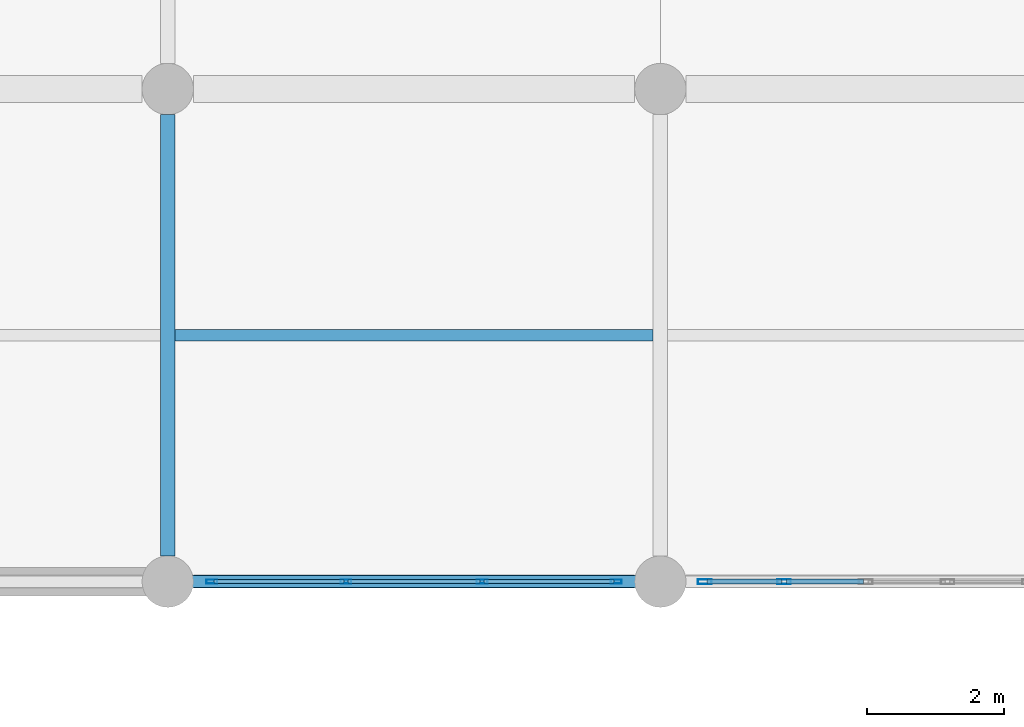
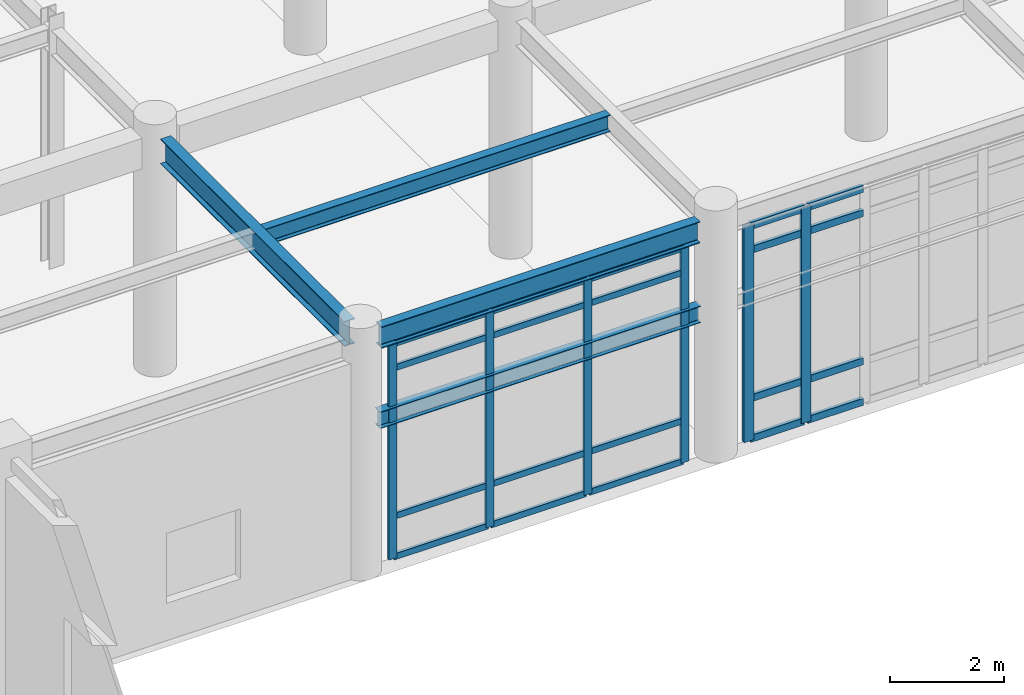
# One storey, part 32 of 102: 26 members, 4 beams, 2 elements without a shape of their own.
"""IFC4 building model written with IfcOpenShell, lengths in metres."""

from ifc_helpers import new_model, si_unit, direction, frame, origin, origin_2d, place, context, subcontext, project, spatial, hollow_rectangle, i_section, extrude, material, layer, layer_set, material_profile, profile_set, type_object, element, aggregate, save


model = new_model("IFC4")

# Units and contexts
model_context = context("Model", 3, precision=1e-05, world=origin(), true_north=direction((0.0, 1.0)))
body_context = subcontext(model_context, "Body", "Model", "MODEL_VIEW")
ifc_project = project(units=[si_unit("LENGTHUNIT", "METRE"), si_unit("AREAUNIT", "SQUARE_METRE"), si_unit("VOLUMEUNIT", "CUBIC_METRE"), si_unit("PLANEANGLEUNIT", "RADIAN"), si_unit("MASSUNIT", "GRAM", prefix="KILO")], contexts=[model_context])

# Site, building, storey
site_placement = place(None, origin())
site = spatial("IfcSite", under=ifc_project, at=site_placement, CompositionType="ELEMENT")
building_placement = place(site_placement, origin())
building = spatial("IfcBuilding", under=site, at=building_placement, Name="Carrowvane Square Congress Hotel", CompositionType="ELEMENT")
storey_placement = place(building_placement, origin())
storey = spatial("IfcBuildingStorey", under=building, at=storey_placement, Name="L00", CompositionType="ELEMENT", Elevation=0.0)

# Beams
ifc_material_1 = material(Name="Steel S355", Category="steel")
ifc_material_profile_1 = material_profile(ifc_material_1, i_section(OverallWidth=0.172119140625, OverallDepth=0.35791015625, WebThickness=0.008056640625, FlangeThickness=0.012939453125, FilletRadius=0.01025390625, at=origin_2d()), Name="UKB 356x171x57")
ifc_profile_set_1 = profile_set([ifc_material_profile_1], Name="Steel S355")
beam_type_1 = type_object("IfcBeamType", Name="BM-LNT-2", PredefinedType="LINTEL", material=ifc_profile_set_1)
beam_1_placement = place(storey_placement, frame((76.75, 70.199951171875, 3.10009765625), z_axis=(1.0, 0.0, 0.0), x_axis=(0.0, 1.0, 0.0)))
element("IfcBeam", 1, at=beam_1_placement, inside=storey, type_object=beam_type_1, Name="L00 passage portal steel lintel 2", PredefinedType="LINTEL", context=body_context, shape_type="SweptSolid", body=[
    extrude(i_section(OverallWidth=0.172119140625, OverallDepth=0.35791015625, WebThickness=0.008056640625, FlangeThickness=0.012939453125, FilletRadius=0.01025390625, at=origin_2d()), origin(), (0.0, 0.0, 1.0), 6.5),
])
ifc_material_2 = material(Name="Steel S355", Category="steel")
ifc_material_profile_2 = material_profile(ifc_material_2, i_section(OverallWidth=0.172119140625, OverallDepth=0.35791015625, WebThickness=0.008056640625, FlangeThickness=0.012939453125, FilletRadius=0.01025390625, at=origin_2d()), Name="UKB 356x171x57")
ifc_profile_set_2 = profile_set([ifc_material_profile_2], Name="Steel S355")
beam_type_2 = type_object("IfcBeamType", Name="BM-ST-UKB356", PredefinedType="JOIST", material=ifc_profile_set_2)
beam_2_placement = place(storey_placement, frame((76.5048828125, 73.800048828125, 4.9208984375), z_axis=(1.0, 0.0, 0.0), x_axis=(0.0, 1.0, 0.0)))
element("IfcBeam", 2, at=beam_2_placement, inside=storey, type_object=beam_type_2, Name="L01 secondary joist 10-11", PredefinedType="JOIST", context=body_context, shape_type="SweptSolid", body=[
    extrude(i_section(OverallWidth=0.172119140625, OverallDepth=0.35791015625, WebThickness=0.008056640625, FlangeThickness=0.012939453125, FilletRadius=0.01025390625, at=origin_2d()), origin(), (0.0, 0.0, 1.0), 6.990234375),
])
ifc_material_3 = material(Name="Steel S355", Category="steel")
ifc_material_profile_3 = material_profile(ifc_material_3, i_section(OverallWidth=0.19140625, OverallDepth=0.4599609375, WebThickness=0.010009765625, FlangeThickness=0.01611328125, FilletRadius=0.01025390625, at=origin_2d()), Name="UKB 457x191x82")
ifc_profile_set_3 = profile_set([ifc_material_profile_3], Name="Steel S355")
beam_type_3 = type_object("IfcBeamType", Name="BM-ST-UKB457", PredefinedType="SPANDREL", material=ifc_profile_set_3)
beam_3_placement = place(storey_placement, frame((76.77490234375, 70.199951171875, 4.8701171875), z_axis=(1.0, 0.0, 0.0), x_axis=(0.0, 1.0, 0.0)))
element("IfcBeam", 3, at=beam_3_placement, inside=storey, type_object=beam_type_3, Name="L01 girder K/10-11", PredefinedType="SPANDREL", context=body_context, shape_type="SweptSolid", body=[
    extrude(i_section(OverallWidth=0.19140625, OverallDepth=0.4599609375, WebThickness=0.010009765625, FlangeThickness=0.01611328125, FilletRadius=0.01025390625, at=origin_2d()), origin(), (0.0, 0.0, 1.0), 6.4501953125),
])
ifc_material_4 = material(Name="Steel S355", Category="steel")
ifc_material_profile_4 = material_profile(ifc_material_4, i_section(OverallWidth=0.2099609375, OverallDepth=0.53662109375, WebThickness=0.0107421875, FlangeThickness=0.017333984375, FilletRadius=0.0126953125, at=origin_2d()), Name="UKB 533x210x101")
ifc_profile_set_4 = profile_set([ifc_material_profile_4], Name="Steel S355")
beam_type_4 = type_object("IfcBeamType", Name="BM-ST-UKB533", PredefinedType="USERDEFINED", material=ifc_profile_set_4)
beam_4_placement = place(storey_placement, frame((76.39990234375, 70.574951171875, 4.83154296875), z_axis=(0.0, 1.0, 0.0), x_axis=(-1.0, 0.0, 0.0)))
element("IfcBeam", 4, at=beam_4_placement, inside=storey, type_object=beam_type_4, Name="L01 girder 10/K-L", ObjectType="GIRDER", PredefinedType="USERDEFINED", context=body_context, shape_type="SweptSolid", body=[
    extrude(i_section(OverallWidth=0.2099609375, OverallDepth=0.53662109375, WebThickness=0.0107421875, FlangeThickness=0.017333984375, FilletRadius=0.0126953125, at=origin_2d()), origin(), (0.0, 0.0, 1.0), 6.449951171875),
])

# Curtain wall, members
ifc_material_5 = material(Name="Anodised aluminium", Category="aluminium")
ifc_layer_1 = layer(ifc_material_5, 0.162109375)
ifc_layer_set_1 = layer_set([ifc_layer_1], Name="Anodised aluminium")
curtain_wall_type_1 = type_object("IfcCurtainWallType", Name="CW-SYS-1", PredefinedType="NOTDEFINED", material=ifc_layer_set_1)
curtain_wall_1_placement = place(storey_placement, origin())
curtain_wall_1 = element("IfcCurtainWall", 5, at=curtain_wall_1_placement, inside=storey, type_object=curtain_wall_type_1, Name="L00 unitised curtain wall 56", PredefinedType="NOTDEFINED")
ifc_material_6 = material(Name="Anodised aluminium", Category="aluminium")
ifc_material_profile_5 = material_profile(ifc_material_6, hollow_rectangle(XDim=0.06005859375, YDim=0.159912109375, WallThickness=0.00390625, at=origin_2d()), Name="CW-ML 60x160x4")
ifc_profile_set_5 = profile_set([ifc_material_profile_5], Name="Anodised aluminium")
member_type_1 = type_object("IfcMemberType", Name="CW-MUL-1", PredefinedType="MULLION", material=ifc_profile_set_5)
member_1_placement = place(storey_placement, frame((82.955078125, 70.199951171875, 0.0), z_axis=(0.0, 0.0, 1.0), x_axis=(0.0, -1.0, 0.0)))
member_1 = element("IfcMember", 6, at=member_1_placement, type_object=member_type_1, Name="CW-1 mullion 1", PredefinedType="MULLION", context=body_context, shape_type="SweptSolid", body=[
    extrude(hollow_rectangle(XDim=0.06005859375, YDim=0.159912109375, WallThickness=0.00390625, at=origin_2d()), origin(), (0.0, 0.0, 1.0), 4.625),
])
member_2_placement = place(storey_placement, frame((80.9951171875, 70.199951171875, 0.0), z_axis=(0.0, 0.0, 1.0), x_axis=(0.0, -1.0, 0.0)))
member_2 = element("IfcMember", 7, at=member_2_placement, type_object=member_type_1, Name="CW-1 mullion 2", PredefinedType="MULLION", context=body_context, shape_type="SweptSolid", body=[
    extrude(hollow_rectangle(XDim=0.06005859375, YDim=0.159912109375, WallThickness=0.00390625, at=origin_2d()), origin(), (0.0, 0.0, 1.0), 4.625),
])
member_3_placement = place(storey_placement, frame((79.0048828125, 70.199951171875, 0.0), z_axis=(0.0, 0.0, 1.0), x_axis=(0.0, -1.0, 0.0)))
member_3 = element("IfcMember", 8, at=member_3_placement, type_object=member_type_1, Name="CW-1 mullion 3", PredefinedType="MULLION", context=body_context, shape_type="SweptSolid", body=[
    extrude(hollow_rectangle(XDim=0.06005859375, YDim=0.159912109375, WallThickness=0.00390625, at=origin_2d()), origin(), (0.0, 0.0, 1.0), 4.625),
])
member_4_placement = place(storey_placement, frame((77.044921875, 70.199951171875, 0.0), z_axis=(0.0, 0.0, 1.0), x_axis=(0.0, -1.0, 0.0)))
member_4 = element("IfcMember", 9, at=member_4_placement, type_object=member_type_1, Name="CW-1 mullion 4", PredefinedType="MULLION", context=body_context, shape_type="SweptSolid", body=[
    extrude(hollow_rectangle(XDim=0.06005859375, YDim=0.159912109375, WallThickness=0.00390625, at=origin_2d()), origin(), (0.0, 0.0, 1.0), 4.625),
])

ifc_material_7 = material(Name="Anodised aluminium", Category="aluminium")
ifc_layer_2 = layer(ifc_material_7, 0.24609375)
ifc_layer_set_2 = layer_set([ifc_layer_2], Name="Anodised aluminium")
curtain_wall_type_2 = type_object("IfcCurtainWallType", Name="CW-SYS-8", PredefinedType="NOTDEFINED", material=ifc_layer_set_2)
curtain_wall_2_placement = place(storey_placement, origin())
curtain_wall_2 = element("IfcCurtainWall", 10, at=curtain_wall_2_placement, inside=storey, type_object=curtain_wall_type_2, Name="L00 unitised curtain wall 55", PredefinedType="NOTDEFINED")
ifc_material_8 = material(Name="Anodised aluminium", Category="aluminium")
ifc_material_profile_6 = material_profile(ifc_material_8, hollow_rectangle(XDim=0.070068359375, YDim=0.199951171875, WallThickness=0.0048828125, at=origin_2d()), Name="CW-ML 70x200x5")
ifc_profile_set_6 = profile_set([ifc_material_profile_6], Name="Anodised aluminium")
member_type_2 = type_object("IfcMemberType", Name="CW-MUL-2", PredefinedType="MULLION", material=ifc_profile_set_6)
member_5_placement = place(storey_placement, frame((85.408935546875, 70.199951171875, 0.0), z_axis=(0.0, 0.0, 1.0), x_axis=(0.0, -1.0, 0.0)))
member_5 = element("IfcMember", 11, at=member_5_placement, type_object=member_type_2, Name="CW-8 mullion 5", PredefinedType="MULLION", context=body_context, shape_type="SweptSolid", body=[
    extrude(hollow_rectangle(XDim=0.070068359375, YDim=0.199951171875, WallThickness=0.0048828125, at=origin_2d()), origin(), (0.0, 0.0, 1.0), 4.625),
])
member_6_placement = place(storey_placement, frame((84.25, 70.199951171875, 0.0), z_axis=(0.0, 0.0, 1.0), x_axis=(0.0, -1.0, 0.0)))
member_6 = element("IfcMember", 12, at=member_6_placement, type_object=member_type_2, Name="CW-8 mullion 6", PredefinedType="MULLION", context=body_context, shape_type="SweptSolid", body=[
    extrude(hollow_rectangle(XDim=0.070068359375, YDim=0.199951171875, WallThickness=0.0048828125, at=origin_2d()), origin(), (0.0, 0.0, 1.0), 4.625),
])

# Member
ifc_material_9 = material(Name="Anodised aluminium", Category="aluminium")
ifc_material_profile_7 = material_profile(ifc_material_9, hollow_rectangle(XDim=0.06005859375, YDim=0.1298828125, WallThickness=0.00390625, at=origin_2d()), Name="CW-TR 60x130x4")
ifc_profile_set_7 = profile_set([ifc_material_profile_7], Name="Anodised aluminium")
member_type_3 = type_object("IfcMemberType", Name="CW-TRN-1", PredefinedType="USERDEFINED", material=ifc_profile_set_7)
member_7_placement = place(storey_placement, frame((82.925048828125, 70.199951171875, 0.030029296875), z_axis=(-1.0, 0.0, 0.0), x_axis=(0.0, -1.0, 0.0)))
member_7 = element("IfcMember", 13, at=member_7_placement, type_object=member_type_3, Name="CW-1 transom 1.1", ObjectType="TRANSOM", PredefinedType="USERDEFINED", context=body_context, shape_type="SweptSolid", body=[
    extrude(hollow_rectangle(XDim=0.06005859375, YDim=0.1298828125, WallThickness=0.00390625, at=origin_2d()), origin(), (0.0, 0.0, 1.0), 1.900146484375),
])

member_8_placement = place(storey_placement, frame((82.925048828125, 70.199951171875, 0.89990234375), z_axis=(-1.0, 0.0, 0.0), x_axis=(0.0, -1.0, 0.0)))
member_8 = element("IfcMember", 14, at=member_8_placement, type_object=member_type_3, Name="CW-1 transom 1.2", ObjectType="TRANSOM", PredefinedType="USERDEFINED", context=body_context, shape_type="SweptSolid", body=[
    extrude(hollow_rectangle(XDim=0.06005859375, YDim=0.1298828125, WallThickness=0.00390625, at=origin_2d()), origin(), (0.0, 0.0, 1.0), 1.900146484375),
])

member_9_placement = place(storey_placement, frame((82.925048828125, 70.199951171875, 4.074951171875), z_axis=(-1.0, 0.0, 0.0), x_axis=(0.0, -1.0, 0.0)))
member_9 = element("IfcMember", 15, at=member_9_placement, type_object=member_type_3, Name="CW-1 transom 1.3", ObjectType="TRANSOM", PredefinedType="USERDEFINED", context=body_context, shape_type="SweptSolid", body=[
    extrude(hollow_rectangle(XDim=0.06005859375, YDim=0.1298828125, WallThickness=0.00390625, at=origin_2d()), origin(), (0.0, 0.0, 1.0), 1.900146484375),
])

member_10_placement = place(storey_placement, frame((82.925048828125, 70.199951171875, 4.594970703125), z_axis=(-1.0, 0.0, 0.0), x_axis=(0.0, -1.0, 0.0)))
member_10 = element("IfcMember", 16, at=member_10_placement, type_object=member_type_3, Name="CW-1 transom 1.4", ObjectType="TRANSOM", PredefinedType="USERDEFINED", context=body_context, shape_type="SweptSolid", body=[
    extrude(hollow_rectangle(XDim=0.06005859375, YDim=0.1298828125, WallThickness=0.00390625, at=origin_2d()), origin(), (0.0, 0.0, 1.0), 1.900146484375),
])

member_11_placement = place(storey_placement, frame((80.965087890625, 70.199951171875, 0.030029296875), z_axis=(-1.0, 0.0, 0.0), x_axis=(0.0, -1.0, 0.0)))
member_11 = element("IfcMember", 17, at=member_11_placement, type_object=member_type_3, Name="CW-1 transom 2.1", ObjectType="TRANSOM", PredefinedType="USERDEFINED", context=body_context, shape_type="SweptSolid", body=[
    extrude(hollow_rectangle(XDim=0.06005859375, YDim=0.1298828125, WallThickness=0.00390625, at=origin_2d()), origin(), (0.0, 0.0, 1.0), 1.93017578125),
])

member_12_placement = place(storey_placement, frame((80.965087890625, 70.199951171875, 0.89990234375), z_axis=(-1.0, 0.0, 0.0), x_axis=(0.0, -1.0, 0.0)))
member_12 = element("IfcMember", 18, at=member_12_placement, type_object=member_type_3, Name="CW-1 transom 2.2", ObjectType="TRANSOM", PredefinedType="USERDEFINED", context=body_context, shape_type="SweptSolid", body=[
    extrude(hollow_rectangle(XDim=0.06005859375, YDim=0.1298828125, WallThickness=0.00390625, at=origin_2d()), origin(), (0.0, 0.0, 1.0), 1.93017578125),
])

member_13_placement = place(storey_placement, frame((80.965087890625, 70.199951171875, 4.074951171875), z_axis=(-1.0, 0.0, 0.0), x_axis=(0.0, -1.0, 0.0)))
member_13 = element("IfcMember", 19, at=member_13_placement, type_object=member_type_3, Name="CW-1 transom 2.3", ObjectType="TRANSOM", PredefinedType="USERDEFINED", context=body_context, shape_type="SweptSolid", body=[
    extrude(hollow_rectangle(XDim=0.06005859375, YDim=0.1298828125, WallThickness=0.00390625, at=origin_2d()), origin(), (0.0, 0.0, 1.0), 1.93017578125),
])

member_14_placement = place(storey_placement, frame((80.965087890625, 70.199951171875, 4.594970703125), z_axis=(-1.0, 0.0, 0.0), x_axis=(0.0, -1.0, 0.0)))
member_14 = element("IfcMember", 20, at=member_14_placement, type_object=member_type_3, Name="CW-1 transom 2.4", ObjectType="TRANSOM", PredefinedType="USERDEFINED", context=body_context, shape_type="SweptSolid", body=[
    extrude(hollow_rectangle(XDim=0.06005859375, YDim=0.1298828125, WallThickness=0.00390625, at=origin_2d()), origin(), (0.0, 0.0, 1.0), 1.93017578125),
])

member_15_placement = place(storey_placement, frame((78.97509765625, 70.199951171875, 0.030029296875), z_axis=(-1.0, 0.0, 0.0), x_axis=(0.0, -1.0, 0.0)))
member_15 = element("IfcMember", 21, at=member_15_placement, type_object=member_type_3, Name="CW-1 transom 3.1", ObjectType="TRANSOM", PredefinedType="USERDEFINED", context=body_context, shape_type="SweptSolid", body=[
    extrude(hollow_rectangle(XDim=0.06005859375, YDim=0.1298828125, WallThickness=0.00390625, at=origin_2d()), origin(), (0.0, 0.0, 1.0), 1.900146484375),
])

member_16_placement = place(storey_placement, frame((78.97509765625, 70.199951171875, 0.89990234375), z_axis=(-1.0, 0.0, 0.0), x_axis=(0.0, -1.0, 0.0)))
member_16 = element("IfcMember", 22, at=member_16_placement, type_object=member_type_3, Name="CW-1 transom 3.2", ObjectType="TRANSOM", PredefinedType="USERDEFINED", context=body_context, shape_type="SweptSolid", body=[
    extrude(hollow_rectangle(XDim=0.06005859375, YDim=0.1298828125, WallThickness=0.00390625, at=origin_2d()), origin(), (0.0, 0.0, 1.0), 1.900146484375),
])

member_17_placement = place(storey_placement, frame((78.97509765625, 70.199951171875, 4.074951171875), z_axis=(-1.0, 0.0, 0.0), x_axis=(0.0, -1.0, 0.0)))
member_17 = element("IfcMember", 23, at=member_17_placement, type_object=member_type_3, Name="CW-1 transom 3.3", ObjectType="TRANSOM", PredefinedType="USERDEFINED", context=body_context, shape_type="SweptSolid", body=[
    extrude(hollow_rectangle(XDim=0.06005859375, YDim=0.1298828125, WallThickness=0.00390625, at=origin_2d()), origin(), (0.0, 0.0, 1.0), 1.900146484375),
])

member_18_placement = place(storey_placement, frame((78.97509765625, 70.199951171875, 4.594970703125), z_axis=(-1.0, 0.0, 0.0), x_axis=(0.0, -1.0, 0.0)))
member_18 = element("IfcMember", 24, at=member_18_placement, type_object=member_type_3, Name="CW-1 transom 3.4", ObjectType="TRANSOM", PredefinedType="USERDEFINED", context=body_context, shape_type="SweptSolid", body=[
    extrude(hollow_rectangle(XDim=0.06005859375, YDim=0.1298828125, WallThickness=0.00390625, at=origin_2d()), origin(), (0.0, 0.0, 1.0), 1.900146484375),
])

aggregate(curtain_wall_1, [member_1, member_2, member_3, member_4, member_7, member_8, member_9, member_10, member_11, member_12, member_13, member_14, member_15, member_16, member_17, member_18])

ifc_material_10 = material(Name="Anodised aluminium", Category="aluminium")
ifc_material_profile_8 = material_profile(ifc_material_10, hollow_rectangle(XDim=0.070068359375, YDim=0.14990234375, WallThickness=0.0048828125, at=origin_2d()), Name="CW-TR 70x150x5")
ifc_profile_set_8 = profile_set([ifc_material_profile_8], Name="Anodised aluminium")
member_type_4 = type_object("IfcMemberType", Name="CW-TRN-2", PredefinedType="USERDEFINED", material=ifc_profile_set_8)
member_19_placement = place(storey_placement, frame((86.568115234375, 70.199951171875, 0.034912109375), z_axis=(-1.0, 0.0, 0.0), x_axis=(0.0, -1.0, 0.0)))
member_19 = element("IfcMember", 25, at=member_19_placement, type_object=member_type_4, Name="CW-8 transom 4.1", ObjectType="TRANSOM", PredefinedType="USERDEFINED", context=body_context, shape_type="SweptSolid", body=[
    extrude(hollow_rectangle(XDim=0.070068359375, YDim=0.14990234375, WallThickness=0.0048828125, at=origin_2d()), origin(), (0.0, 0.0, 1.0), 1.1240234375),
])

member_20_placement = place(storey_placement, frame((86.568115234375, 70.199951171875, 0.89990234375), z_axis=(-1.0, 0.0, 0.0), x_axis=(0.0, -1.0, 0.0)))
member_20 = element("IfcMember", 26, at=member_20_placement, type_object=member_type_4, Name="CW-8 transom 4.2", ObjectType="TRANSOM", PredefinedType="USERDEFINED", context=body_context, shape_type="SweptSolid", body=[
    extrude(hollow_rectangle(XDim=0.070068359375, YDim=0.14990234375, WallThickness=0.0048828125, at=origin_2d()), origin(), (0.0, 0.0, 1.0), 1.1240234375),
])

member_21_placement = place(storey_placement, frame((86.568115234375, 70.199951171875, 4.074951171875), z_axis=(-1.0, 0.0, 0.0), x_axis=(0.0, -1.0, 0.0)))
member_21 = element("IfcMember", 27, at=member_21_placement, type_object=member_type_4, Name="CW-8 transom 4.3", ObjectType="TRANSOM", PredefinedType="USERDEFINED", context=body_context, shape_type="SweptSolid", body=[
    extrude(hollow_rectangle(XDim=0.070068359375, YDim=0.14990234375, WallThickness=0.0048828125, at=origin_2d()), origin(), (0.0, 0.0, 1.0), 1.1240234375),
])

member_22_placement = place(storey_placement, frame((86.568115234375, 70.199951171875, 4.590087890625), z_axis=(-1.0, 0.0, 0.0), x_axis=(0.0, -1.0, 0.0)))
member_22 = element("IfcMember", 28, at=member_22_placement, type_object=member_type_4, Name="CW-8 transom 4.4", ObjectType="TRANSOM", PredefinedType="USERDEFINED", context=body_context, shape_type="SweptSolid", body=[
    extrude(hollow_rectangle(XDim=0.070068359375, YDim=0.14990234375, WallThickness=0.0048828125, at=origin_2d()), origin(), (0.0, 0.0, 1.0), 1.1240234375),
])

member_23_placement = place(storey_placement, frame((85.3740234375, 70.199951171875, 0.034912109375), z_axis=(-1.0, 0.0, 0.0), x_axis=(0.0, -1.0, 0.0)))
member_23 = element("IfcMember", 29, at=member_23_placement, type_object=member_type_4, Name="CW-8 transom 5.1", ObjectType="TRANSOM", PredefinedType="USERDEFINED", context=body_context, shape_type="SweptSolid", body=[
    extrude(hollow_rectangle(XDim=0.070068359375, YDim=0.14990234375, WallThickness=0.0048828125, at=origin_2d()), origin(), (0.0, 0.0, 1.0), 1.089111328125),
])

member_24_placement = place(storey_placement, frame((85.3740234375, 70.199951171875, 0.89990234375), z_axis=(-1.0, 0.0, 0.0), x_axis=(0.0, -1.0, 0.0)))
member_24 = element("IfcMember", 30, at=member_24_placement, type_object=member_type_4, Name="CW-8 transom 5.2", ObjectType="TRANSOM", PredefinedType="USERDEFINED", context=body_context, shape_type="SweptSolid", body=[
    extrude(hollow_rectangle(XDim=0.070068359375, YDim=0.14990234375, WallThickness=0.0048828125, at=origin_2d()), origin(), (0.0, 0.0, 1.0), 1.089111328125),
])

member_25_placement = place(storey_placement, frame((85.3740234375, 70.199951171875, 4.074951171875), z_axis=(-1.0, 0.0, 0.0), x_axis=(0.0, -1.0, 0.0)))
member_25 = element("IfcMember", 31, at=member_25_placement, type_object=member_type_4, Name="CW-8 transom 5.3", ObjectType="TRANSOM", PredefinedType="USERDEFINED", context=body_context, shape_type="SweptSolid", body=[
    extrude(hollow_rectangle(XDim=0.070068359375, YDim=0.14990234375, WallThickness=0.0048828125, at=origin_2d()), origin(), (0.0, 0.0, 1.0), 1.089111328125),
])

member_26_placement = place(storey_placement, frame((85.3740234375, 70.199951171875, 4.590087890625), z_axis=(-1.0, 0.0, 0.0), x_axis=(0.0, -1.0, 0.0)))
member_26 = element("IfcMember", 32, at=member_26_placement, type_object=member_type_4, Name="CW-8 transom 5.4", ObjectType="TRANSOM", PredefinedType="USERDEFINED", context=body_context, shape_type="SweptSolid", body=[
    extrude(hollow_rectangle(XDim=0.070068359375, YDim=0.14990234375, WallThickness=0.0048828125, at=origin_2d()), origin(), (0.0, 0.0, 1.0), 1.089111328125),
])

aggregate(curtain_wall_2, [member_5, member_6, member_19, member_20, member_21, member_22, member_23, member_24, member_25, member_26])

save(model, "model.ifc")
